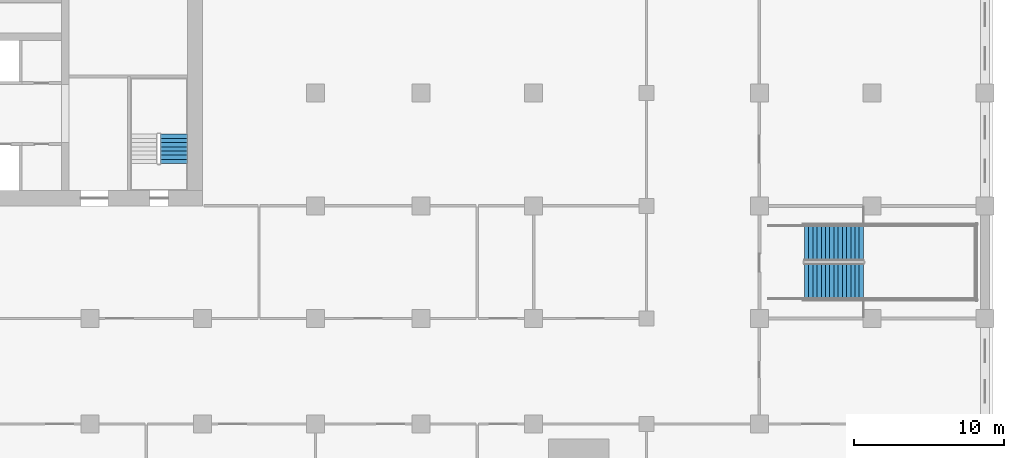
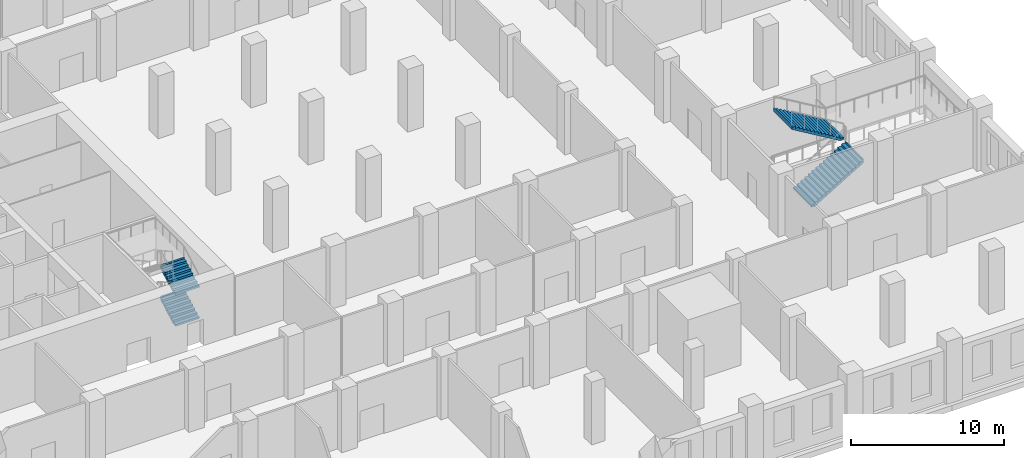
# One storey, part 16 of 32: 4 stair flights, 2 elements without a shape of their own.
"""IFC4 building model written with IfcOpenShell, lengths in metres."""

from ifc_helpers import new_model, si_unit, direction, frame, origin, place, context, subcontext, project, spatial, polyline, outline, extrude, material, type_object, element, aggregate, save


model = new_model("IFC4")

# Units and contexts
model_context = context("Model", 3, precision=1e-05, world=origin(), true_north=direction((0.0, 1.0)))
body_context = subcontext(model_context, "Body", "Model", "MODEL_VIEW")
ifc_project = project(units=[si_unit("LENGTHUNIT", "METRE"), si_unit("AREAUNIT", "SQUARE_METRE"), si_unit("VOLUMEUNIT", "CUBIC_METRE"), si_unit("PLANEANGLEUNIT", "RADIAN"), si_unit("MASSUNIT", "GRAM", prefix="KILO")], contexts=[model_context])

# Site, building, storey
site_placement = place(None, origin())
site = spatial("IfcSite", under=ifc_project, at=site_placement, CompositionType="ELEMENT")
building_placement = place(site_placement, origin())
building = spatial("IfcBuilding", under=site, at=building_placement, Name="Tamorin Gate", CompositionType="ELEMENT")
storey_placement = place(building_placement, frame((0.0, 0.0, 13.5)))
storey = spatial("IfcBuildingStorey", under=building, at=storey_placement, Name="L02", CompositionType="ELEMENT", Elevation=13.5)

# Stair, stair flights
ifc_material_1 = material(Name="Concrete C40/50", Category="concrete")
stair_type_1 = type_object("IfcStairType", Name="Exit stair", PredefinedType="HALF_TURN_STAIR", material=ifc_material_1)
stair_1_placement = place(storey_placement, origin())
stair_1 = element("IfcStair", 1, at=stair_1_placement, inside=storey, type_object=stair_type_1, Name="L02 stair ST3", PredefinedType="HALF_TURN_STAIR")
stair_flight_type_1 = type_object("IfcStairFlightType", Name="Exit stair flight", PredefinedType="STRAIGHT", material=ifc_material_1)
stair_flight_1_placement = place(storey_placement, frame((58.10009765625, 62.800048828125, 0.0), z_axis=(0.0, 0.0, 1.0), x_axis=(0.0, 1.0, 0.0)))
stair_flight_1 = element("IfcStairFlight", 2, at=stair_flight_1_placement, type_object=stair_flight_type_1, Name="ST3 flight 1", NumberOfRisers=8, NumberOfTreads=7, PredefinedType="STRAIGHT", RiserHeight=0.15625, TreadLength=0.28, context=body_context, shape_type="SweptSolid", body=[
    extrude(outline(polyline([(-0.00048828125, 0.0), (-0.00048828125, 0.00146484375), (-0.00048828125, 0.003173828125), (-0.00048828125, 0.004638671875), (-0.00048828125, 0.006103515625), (-0.00048828125, 0.0078125), (-0.00048828125, 0.00927734375), (-0.00048828125, 0.0107421875), (-0.00048828125, 0.012451171875), (-0.00048828125, 0.013916015625), (-0.00048828125, 0.015380859375), (-0.00048828125, 0.01708984375), (-0.00048828125, 0.0185546875), (-0.00048828125, 0.02001953125), (-0.00048828125, 0.021728515625), (-0.00048828125, 0.023193359375), (-0.00048828125, 0.024658203125), (-0.00048828125, 0.0263671875), (-0.00048828125, 0.02783203125), (-0.00048828125, 0.029296875), (-0.00048828125, 0.031005859375), (-0.00048828125, 0.032470703125), (-0.00048828125, 0.033935546875), (-0.00048828125, 0.03564453125), (-0.00048828125, 0.037109375), (-0.00048828125, 0.03857421875), (-0.00048828125, 0.040283203125), (-0.00048828125, 0.041748046875), (-0.00048828125, 0.043212890625), (-0.00048828125, 0.044921875), (-0.00048828125, 0.04638671875), (-0.00048828125, 0.0478515625), (-0.00048828125, 0.049560546875), (-0.00048828125, 0.051025390625), (-0.00048828125, 0.052490234375), (-0.00048828125, 0.05419921875), (-0.00048828125, 0.0556640625), (-0.00048828125, 0.05712890625), (-0.00048828125, 0.058837890625), (-0.00048828125, 0.060302734375), (-0.00048828125, 0.061767578125), (-0.00048828125, 0.0634765625), (-0.00048828125, 0.06494140625), (-0.00048828125, 0.06640625), (-0.00048828125, 0.068115234375), (-0.00048828125, 0.069580078125), (-0.00048828125, 0.071044921875), (-0.00048828125, 0.07275390625), (-0.00048828125, 0.07421875), (-0.00048828125, 0.07568359375), (-0.00048828125, 0.077392578125), (-0.00048828125, 0.078857421875), (-0.00048828125, 0.08056640625), (-0.00048828125, 0.08203125), (-0.00048828125, 0.08349609375), (-0.00048828125, 0.085205078125), (-0.00048828125, 0.086669921875), (-0.00048828125, 0.088134765625), (-0.00048828125, 0.08984375), (-0.00048828125, 0.09130859375), (-0.00048828125, 0.0927734375), (-0.00048828125, 0.094482421875), (-0.00048828125, 0.095947265625), (-0.00048828125, 0.097412109375), (-0.00048828125, 0.09912109375), (-0.00048828125, 0.1005859375), (-0.00048828125, 0.10205078125), (-0.00048828125, 0.103759765625), (-0.00048828125, 0.105224609375), (-0.00048828125, 0.106689453125), (-0.00048828125, 0.1083984375), (-0.00048828125, 0.10986328125), (-0.00048828125, 0.111328125), (-0.00048828125, 0.113037109375), (-0.00048828125, 0.114501953125), (-0.00048828125, 0.115966796875), (-0.00048828125, 0.11767578125), (-0.00048828125, 0.119140625), (-0.00048828125, 0.12060546875), (-0.00048828125, 0.122314453125), (-0.00048828125, 0.123779296875), (-0.00048828125, 0.125244140625), (-0.00048828125, 0.126953125), (-0.00048828125, 0.12841796875), (-0.00048828125, 0.1298828125), (-0.00048828125, 0.131591796875), (-0.00048828125, 0.133056640625), (-0.00048828125, 0.134521484375), (-0.00048828125, 0.13623046875), (-0.00048828125, 0.1376953125), (-0.00048828125, 0.13916015625), (-0.00048828125, 0.140869140625), (-0.00048828125, 0.142333984375), (-0.00048828125, 0.143798828125), (-0.00048828125, 0.1455078125), (-0.00048828125, 0.14697265625), (-0.00048828125, 0.1484375), (-0.00048828125, 0.150146484375), (-0.00048828125, 0.151611328125), (-0.00048828125, 0.153076171875), (-0.00048828125, 0.15478515625), (-0.00048828125, 0.15625), (0.280029296875, 0.15625), (0.280029296875, 0.3125), (0.56005859375, 0.3125), (0.56005859375, 0.46875), (0.840087890625, 0.46875), (0.840087890625, 0.625), (1.1201171875, 0.625), (1.1201171875, 0.78125), (1.39990234375, 0.78125), (1.39990234375, 0.9375), (1.679931640625, 0.9375), (1.679931640625, 1.09375), (1.9599609375, 1.09375), (1.9599609375, 1.25), (1.96044921875, 1.25), (1.96044921875, 1.246826171875), (1.96044921875, 1.243408203125), (1.96044921875, 1.240234375), (1.96044921875, 1.237060546875), (1.96044921875, 1.23388671875), (1.96044921875, 1.23046875), (1.96044921875, 1.227294921875), (1.96044921875, 1.22412109375), (1.96044921875, 1.220703125), (1.96044921875, 1.217529296875), (1.96044921875, 1.21435546875), (1.96044921875, 1.2109375), (1.96044921875, 1.207763671875), (1.96044921875, 1.20458984375), (1.96044921875, 1.201416015625), (1.96044921875, 1.197998046875), (1.96044921875, 1.19482421875), (1.96044921875, 1.191650390625), (1.96044921875, 1.188232421875), (1.96044921875, 1.18505859375), (1.96044921875, 1.181884765625), (1.96044921875, 1.178466796875), (1.96044921875, 1.17529296875), (1.96044921875, 1.172119140625), (1.96044921875, 1.1689453125), (1.96044921875, 1.16552734375), (1.96044921875, 1.162353515625), (1.96044921875, 1.1591796875), (1.96044921875, 1.15576171875), (1.96044921875, 1.152587890625), (1.96044921875, 1.1494140625), (1.96044921875, 1.14599609375), (1.96044921875, 1.142822265625), (1.96044921875, 1.1396484375), (1.96044921875, 1.136474609375), (1.96044921875, 1.133056640625), (1.96044921875, 1.1298828125), (1.96044921875, 1.126708984375), (1.96044921875, 1.123291015625), (1.96044921875, 1.1201171875), (1.96044921875, 1.116943359375), (1.96044921875, 1.113525390625), (1.96044921875, 1.1103515625), (1.96044921875, 1.107177734375), (1.96044921875, 1.10400390625), (1.96044921875, 1.1005859375), (1.96044921875, 1.097412109375), (1.96044921875, 1.09423828125), (1.96044921875, 1.0908203125), (1.96044921875, 1.087646484375), (1.96044921875, 1.08447265625), (1.96044921875, 1.0810546875), (1.96044921875, 1.077880859375), (1.96044921875, 1.07470703125), (1.96044921875, 1.071533203125), (1.96044921875, 1.068115234375), (1.96044921875, 1.06494140625), (1.96044921875, 1.061767578125), (1.96044921875, 1.058349609375), (1.96044921875, 1.05517578125), (1.96044921875, 1.052001953125), (1.96044921875, 1.048828125), (1.96044921875, 1.04541015625), (1.96044921875, 1.042236328125), (1.96044921875, 1.0390625), (1.96044921875, 1.03564453125), (1.96044921875, 1.032470703125), (1.96044921875, 1.029296875), (1.96044921875, 1.02587890625), (1.96044921875, 1.022705078125), (1.96044921875, 1.01953125), (1.96044921875, 1.016357421875), (1.96044921875, 1.012939453125), (1.96044921875, 1.009765625), (1.96044921875, 1.006591796875), (1.96044921875, 1.003173828125), (1.96044921875, 1.0), (1.96044921875, 0.996826171875), (1.96044921875, 0.993408203125), (1.96044921875, 0.990234375), (1.96044921875, 0.987060546875), (1.96044921875, 0.98388671875), (1.96044921875, 0.98046875), (1.96044921875, 0.977294921875), (1.96044921875, 0.97412109375), (1.96044921875, 0.970703125), (1.96044921875, 0.967529296875), (1.96044921875, 0.96435546875), (1.96044921875, 0.9609375), (1.96044921875, 0.957763671875), (1.96044921875, 0.95458984375), (1.96044921875, 0.951416015625), (1.96044921875, 0.947998046875), (1.96044921875, 0.94482421875), (1.96044921875, 0.941650390625), (1.96044921875, 0.938232421875), (1.96044921875, 0.93505859375), (1.96044921875, 0.931884765625), (1.96044921875, 0.928466796875), (1.96044921875, 0.92529296875), (1.96044921875, 0.922119140625), (1.9599609375, 0.922119140625), (0.3076171875, 0.0), (-0.00048828125, 0.0)])), frame((0.0, 0.89990234375, 0.0), z_axis=(0.0, -1.0, 0.0), x_axis=(1.0, 0.0, 0.0)), (0.0, 0.0, 1.0), 1.800048828125),
])
stair_flight_2_placement = place(storey_placement, frame((58.10009765625, 62.800048828125, 2.5), z_axis=(0.0, 0.0, 1.0), x_axis=(0.0, 1.0, 0.0)))
stair_flight_2 = element("IfcStairFlight", 3, at=stair_flight_2_placement, type_object=stair_flight_type_1, Name="ST3 flight 3", NumberOfRisers=8, NumberOfTreads=7, PredefinedType="STRAIGHT", RiserHeight=0.15625, TreadLength=0.28, context=body_context, shape_type="SweptSolid", body=[
    extrude(outline(polyline([(-0.00048828125, 0.0), (-0.00048828125, 0.00146484375), (-0.00048828125, 0.003173828125), (-0.00048828125, 0.004638671875), (-0.00048828125, 0.006103515625), (-0.00048828125, 0.0078125), (-0.00048828125, 0.00927734375), (-0.00048828125, 0.0107421875), (-0.00048828125, 0.012451171875), (-0.00048828125, 0.013916015625), (-0.00048828125, 0.015380859375), (-0.00048828125, 0.01708984375), (-0.00048828125, 0.0185546875), (-0.00048828125, 0.02001953125), (-0.00048828125, 0.021728515625), (-0.00048828125, 0.023193359375), (-0.00048828125, 0.024658203125), (-0.00048828125, 0.0263671875), (-0.00048828125, 0.02783203125), (-0.00048828125, 0.029296875), (-0.00048828125, 0.031005859375), (-0.00048828125, 0.032470703125), (-0.00048828125, 0.033935546875), (-0.00048828125, 0.03564453125), (-0.00048828125, 0.037109375), (-0.00048828125, 0.03857421875), (-0.00048828125, 0.040283203125), (-0.00048828125, 0.041748046875), (-0.00048828125, 0.043212890625), (-0.00048828125, 0.044921875), (-0.00048828125, 0.04638671875), (-0.00048828125, 0.0478515625), (-0.00048828125, 0.049560546875), (-0.00048828125, 0.051025390625), (-0.00048828125, 0.052490234375), (-0.00048828125, 0.05419921875), (-0.00048828125, 0.0556640625), (-0.00048828125, 0.05712890625), (-0.00048828125, 0.058837890625), (-0.00048828125, 0.060302734375), (-0.00048828125, 0.061767578125), (-0.00048828125, 0.0634765625), (-0.00048828125, 0.06494140625), (-0.00048828125, 0.06640625), (-0.00048828125, 0.068115234375), (-0.00048828125, 0.069580078125), (-0.00048828125, 0.071044921875), (-0.00048828125, 0.07275390625), (-0.00048828125, 0.07421875), (-0.00048828125, 0.07568359375), (-0.00048828125, 0.077392578125), (-0.00048828125, 0.078857421875), (-0.00048828125, 0.08056640625), (-0.00048828125, 0.08203125), (-0.00048828125, 0.08349609375), (-0.00048828125, 0.085205078125), (-0.00048828125, 0.086669921875), (-0.00048828125, 0.088134765625), (-0.00048828125, 0.08984375), (-0.00048828125, 0.09130859375), (-0.00048828125, 0.0927734375), (-0.00048828125, 0.094482421875), (-0.00048828125, 0.095947265625), (-0.00048828125, 0.097412109375), (-0.00048828125, 0.09912109375), (-0.00048828125, 0.1005859375), (-0.00048828125, 0.10205078125), (-0.00048828125, 0.103759765625), (-0.00048828125, 0.105224609375), (-0.00048828125, 0.106689453125), (-0.00048828125, 0.1083984375), (-0.00048828125, 0.10986328125), (-0.00048828125, 0.111328125), (-0.00048828125, 0.113037109375), (-0.00048828125, 0.114501953125), (-0.00048828125, 0.115966796875), (-0.00048828125, 0.11767578125), (-0.00048828125, 0.119140625), (-0.00048828125, 0.12060546875), (-0.00048828125, 0.122314453125), (-0.00048828125, 0.123779296875), (-0.00048828125, 0.125244140625), (-0.00048828125, 0.126953125), (-0.00048828125, 0.12841796875), (-0.00048828125, 0.1298828125), (-0.00048828125, 0.131591796875), (-0.00048828125, 0.133056640625), (-0.00048828125, 0.134521484375), (-0.00048828125, 0.13623046875), (-0.00048828125, 0.1376953125), (-0.00048828125, 0.13916015625), (-0.00048828125, 0.140869140625), (-0.00048828125, 0.142333984375), (-0.00048828125, 0.143798828125), (-0.00048828125, 0.1455078125), (-0.00048828125, 0.14697265625), (-0.00048828125, 0.1484375), (-0.00048828125, 0.150146484375), (-0.00048828125, 0.151611328125), (-0.00048828125, 0.153076171875), (-0.00048828125, 0.15478515625), (-0.00048828125, 0.15625), (0.280029296875, 0.15625), (0.280029296875, 0.3125), (0.56005859375, 0.3125), (0.56005859375, 0.46875), (0.840087890625, 0.46875), (0.840087890625, 0.625), (1.1201171875, 0.625), (1.1201171875, 0.78125), (1.39990234375, 0.78125), (1.39990234375, 0.9375), (1.679931640625, 0.9375), (1.679931640625, 1.09375), (1.9599609375, 1.09375), (1.9599609375, 1.25), (1.96044921875, 1.25), (1.96044921875, 1.246826171875), (1.96044921875, 1.243408203125), (1.96044921875, 1.240234375), (1.96044921875, 1.237060546875), (1.96044921875, 1.23388671875), (1.96044921875, 1.23046875), (1.96044921875, 1.227294921875), (1.96044921875, 1.22412109375), (1.96044921875, 1.220703125), (1.96044921875, 1.217529296875), (1.96044921875, 1.21435546875), (1.96044921875, 1.2109375), (1.96044921875, 1.207763671875), (1.96044921875, 1.20458984375), (1.96044921875, 1.201416015625), (1.96044921875, 1.197998046875), (1.96044921875, 1.19482421875), (1.96044921875, 1.191650390625), (1.96044921875, 1.188232421875), (1.96044921875, 1.18505859375), (1.96044921875, 1.181884765625), (1.96044921875, 1.178466796875), (1.96044921875, 1.17529296875), (1.96044921875, 1.172119140625), (1.96044921875, 1.1689453125), (1.96044921875, 1.16552734375), (1.96044921875, 1.162353515625), (1.96044921875, 1.1591796875), (1.96044921875, 1.15576171875), (1.96044921875, 1.152587890625), (1.96044921875, 1.1494140625), (1.96044921875, 1.14599609375), (1.96044921875, 1.142822265625), (1.96044921875, 1.1396484375), (1.96044921875, 1.136474609375), (1.96044921875, 1.133056640625), (1.96044921875, 1.1298828125), (1.96044921875, 1.126708984375), (1.96044921875, 1.123291015625), (1.96044921875, 1.1201171875), (1.96044921875, 1.116943359375), (1.96044921875, 1.113525390625), (1.96044921875, 1.1103515625), (1.96044921875, 1.107177734375), (1.96044921875, 1.10400390625), (1.96044921875, 1.1005859375), (1.96044921875, 1.097412109375), (1.96044921875, 1.09423828125), (1.96044921875, 1.0908203125), (1.96044921875, 1.087646484375), (1.96044921875, 1.08447265625), (1.96044921875, 1.0810546875), (1.96044921875, 1.077880859375), (1.96044921875, 1.07470703125), (1.96044921875, 1.071533203125), (1.96044921875, 1.068115234375), (1.96044921875, 1.06494140625), (1.96044921875, 1.061767578125), (1.96044921875, 1.058349609375), (1.96044921875, 1.05517578125), (1.96044921875, 1.052001953125), (1.96044921875, 1.048828125), (1.96044921875, 1.04541015625), (1.96044921875, 1.042236328125), (1.96044921875, 1.0390625), (1.96044921875, 1.03564453125), (1.96044921875, 1.032470703125), (1.96044921875, 1.029296875), (1.96044921875, 1.02587890625), (1.96044921875, 1.022705078125), (1.96044921875, 1.01953125), (1.96044921875, 1.016357421875), (1.96044921875, 1.012939453125), (1.96044921875, 1.009765625), (1.96044921875, 1.006591796875), (1.96044921875, 1.003173828125), (1.96044921875, 1.0), (1.96044921875, 0.996826171875), (1.96044921875, 0.993408203125), (1.96044921875, 0.990234375), (1.96044921875, 0.987060546875), (1.96044921875, 0.98388671875), (1.96044921875, 0.98046875), (1.96044921875, 0.977294921875), (1.96044921875, 0.97412109375), (1.96044921875, 0.970703125), (1.96044921875, 0.967529296875), (1.96044921875, 0.96435546875), (1.96044921875, 0.9609375), (1.96044921875, 0.957763671875), (1.96044921875, 0.95458984375), (1.96044921875, 0.951416015625), (1.96044921875, 0.947998046875), (1.96044921875, 0.94482421875), (1.96044921875, 0.941650390625), (1.96044921875, 0.938232421875), (1.96044921875, 0.93505859375), (1.96044921875, 0.931884765625), (1.96044921875, 0.928466796875), (1.96044921875, 0.92529296875), (1.96044921875, 0.922119140625), (1.9599609375, 0.922119140625), (0.3076171875, 0.0), (-0.00048828125, 0.0)])), frame((0.0, 0.89990234375, 0.0), z_axis=(0.0, -1.0, 0.0), x_axis=(1.0, 0.0, 0.0)), (0.0, 0.0, 1.0), 1.800048828125),
])
aggregate(stair_1, [stair_flight_1, stair_flight_2])

ifc_material_2 = material(Name="Reinforced concrete C32/40", Category="concrete")
stair_type_2 = type_object("IfcStairType", Name="Podium stair PS", PredefinedType="HALF_TURN_STAIR", material=ifc_material_2)
stair_2_placement = place(storey_placement, origin())
stair_2 = element("IfcStair", 4, at=stair_2_placement, inside=storey, type_object=stair_type_2, Name="L02 Podium stair PS3", PredefinedType="HALF_TURN_STAIR")
stair_flight_type_2 = type_object("IfcStairFlightType", Name="Stair flight 2400", PredefinedType="STRAIGHT", material=ifc_material_2)
stair_flight_3_placement = place(storey_placement, frame((100.0, 54.97509765625, 0.0), z_axis=(0.0, 0.0, 1.0), x_axis=(1.0, 0.0, 0.0)))
stair_flight_3 = element("IfcStairFlight", 5, at=stair_flight_3_placement, type_object=stair_flight_type_2, Name="PS3 flight 1", NumberOfRisers=15, NumberOfTreads=14, PredefinedType="STRAIGHT", RiserHeight=0.166666667, TreadLength=0.28, context=body_context, shape_type="SweptSolid", body=[
    extrude(outline(polyline([(-0.00048828125, 0.0), (-0.00048828125, 0.001708984375), (-0.00048828125, 0.00341796875), (-0.00048828125, 0.0048828125), (-0.00048828125, 0.006591796875), (-0.00048828125, 0.00830078125), (-0.00048828125, 0.010009765625), (-0.00048828125, 0.011474609375), (-0.00048828125, 0.01318359375), (-0.00048828125, 0.014892578125), (-0.00048828125, 0.0166015625), (-0.00048828125, 0.01806640625), (-0.00048828125, 0.019775390625), (-0.00048828125, 0.021484375), (-0.00048828125, 0.023193359375), (-0.00048828125, 0.024658203125), (-0.00048828125, 0.0263671875), (-0.00048828125, 0.028076171875), (-0.00048828125, 0.02978515625), (-0.00048828125, 0.03125), (-0.00048828125, 0.032958984375), (-0.00048828125, 0.03466796875), (-0.00048828125, 0.036376953125), (-0.00048828125, 0.037841796875), (-0.00048828125, 0.03955078125), (-0.00048828125, 0.041259765625), (-0.00048828125, 0.04296875), (-0.00048828125, 0.04443359375), (-0.00048828125, 0.046142578125), (-0.00048828125, 0.0478515625), (-0.00048828125, 0.049560546875), (-0.00048828125, 0.05126953125), (-0.00048828125, 0.052734375), (-0.00048828125, 0.054443359375), (-0.00048828125, 0.05615234375), (-0.00048828125, 0.057861328125), (-0.00048828125, 0.059326171875), (-0.00048828125, 0.06103515625), (-0.00048828125, 0.062744140625), (-0.00048828125, 0.064453125), (-0.00048828125, 0.06591796875), (-0.00048828125, 0.067626953125), (-0.00048828125, 0.0693359375), (-0.00048828125, 0.071044921875), (-0.00048828125, 0.072509765625), (-0.00048828125, 0.07421875), (-0.00048828125, 0.075927734375), (-0.00048828125, 0.07763671875), (-0.00048828125, 0.0791015625), (-0.00048828125, 0.080810546875), (-0.00048828125, 0.08251953125), (-0.00048828125, 0.084228515625), (-0.00048828125, 0.085693359375), (-0.00048828125, 0.08740234375), (-0.00048828125, 0.089111328125), (-0.00048828125, 0.0908203125), (-0.00048828125, 0.092529296875), (-0.00048828125, 0.093994140625), (-0.00048828125, 0.095703125), (-0.00048828125, 0.097412109375), (-0.00048828125, 0.09912109375), (-0.00048828125, 0.1005859375), (-0.00048828125, 0.102294921875), (-0.00048828125, 0.10400390625), (-0.00048828125, 0.105712890625), (-0.00048828125, 0.107177734375), (-0.00048828125, 0.10888671875), (-0.00048828125, 0.110595703125), (-0.00048828125, 0.1123046875), (-0.00048828125, 0.11376953125), (-0.00048828125, 0.115478515625), (-0.00048828125, 0.1171875), (-0.00048828125, 0.118896484375), (-0.00048828125, 0.120361328125), (-0.00048828125, 0.1220703125), (-0.00048828125, 0.123779296875), (-0.00048828125, 0.12548828125), (-0.00048828125, 0.126953125), (-0.00048828125, 0.128662109375), (-0.00048828125, 0.13037109375), (-0.00048828125, 0.132080078125), (-0.00048828125, 0.133544921875), (-0.00048828125, 0.13525390625), (-0.00048828125, 0.136962890625), (-0.00048828125, 0.138671875), (-0.00048828125, 0.140380859375), (-0.00048828125, 0.141845703125), (-0.00048828125, 0.1435546875), (-0.00048828125, 0.145263671875), (-0.00048828125, 0.14697265625), (-0.00048828125, 0.1484375), (-0.00048828125, 0.150146484375), (-0.00048828125, 0.15185546875), (-0.00048828125, 0.153564453125), (-0.00048828125, 0.155029296875), (-0.00048828125, 0.15673828125), (-0.00048828125, 0.158447265625), (-0.00048828125, 0.16015625), (-0.00048828125, 0.16162109375), (-0.00048828125, 0.163330078125), (-0.00048828125, 0.1650390625), (-0.00048828125, 0.166748046875), (0.280029296875, 0.166748046875), (0.280029296875, 0.333251953125), (0.56005859375, 0.333251953125), (0.56005859375, 0.5), (0.840087890625, 0.5), (0.840087890625, 0.666748046875), (1.1201171875, 0.666748046875), (1.1201171875, 0.833251953125), (1.39990234375, 0.833251953125), (1.39990234375, 1.0), (1.679931640625, 1.0), (1.679931640625, 1.166748046875), (1.9599609375, 1.166748046875), (1.9599609375, 1.333251953125), (2.239990234375, 1.333251953125), (2.239990234375, 1.5), (2.52001953125, 1.5), (2.52001953125, 1.666748046875), (2.800048828125, 1.666748046875), (2.800048828125, 1.833251953125), (3.080078125, 1.833251953125), (3.080078125, 2.0), (3.360107421875, 2.0), (3.360107421875, 2.166748046875), (3.639892578125, 2.166748046875), (3.639892578125, 2.333251953125), (3.919921875, 2.333251953125), (3.919921875, 2.5), (3.92041015625, 2.5), (3.92041015625, 2.49658203125), (3.92041015625, 2.4931640625), (3.92041015625, 2.48974609375), (3.92041015625, 2.486572265625), (3.92041015625, 2.483154296875), (3.92041015625, 2.479736328125), (3.92041015625, 2.476318359375), (3.92041015625, 2.472900390625), (3.92041015625, 2.469482421875), (3.92041015625, 2.46630859375), (3.92041015625, 2.462890625), (3.92041015625, 2.45947265625), (3.92041015625, 2.4560546875), (3.92041015625, 2.45263671875), (3.92041015625, 2.44921875), (3.92041015625, 2.446044921875), (3.92041015625, 2.442626953125), (3.92041015625, 2.439208984375), (3.92041015625, 2.435791015625), (3.92041015625, 2.432373046875), (3.92041015625, 2.428955078125), (3.92041015625, 2.42578125), (3.92041015625, 2.42236328125), (3.92041015625, 2.4189453125), (3.92041015625, 2.41552734375), (3.92041015625, 2.412109375), (3.92041015625, 2.40869140625), (3.92041015625, 2.405517578125), (3.92041015625, 2.402099609375), (3.92041015625, 2.398681640625), (3.92041015625, 2.395263671875), (3.92041015625, 2.391845703125), (3.92041015625, 2.388427734375), (3.92041015625, 2.38525390625), (3.92041015625, 2.3818359375), (3.92041015625, 2.37841796875), (3.92041015625, 2.375), (3.92041015625, 2.37158203125), (3.92041015625, 2.3681640625), (3.92041015625, 2.364990234375), (3.92041015625, 2.361572265625), (3.92041015625, 2.358154296875), (3.92041015625, 2.354736328125), (3.92041015625, 2.351318359375), (3.92041015625, 2.347900390625), (3.92041015625, 2.3447265625), (3.92041015625, 2.34130859375), (3.92041015625, 2.337890625), (3.92041015625, 2.33447265625), (3.92041015625, 2.3310546875), (3.92041015625, 2.32763671875), (3.92041015625, 2.324462890625), (3.92041015625, 2.321044921875), (3.92041015625, 2.317626953125), (3.92041015625, 2.314208984375), (3.92041015625, 2.310791015625), (3.92041015625, 2.307373046875), (3.92041015625, 2.30419921875), (3.92041015625, 2.30078125), (3.92041015625, 2.29736328125), (3.92041015625, 2.2939453125), (3.92041015625, 2.29052734375), (3.92041015625, 2.287109375), (3.92041015625, 2.283935546875), (3.92041015625, 2.280517578125), (3.92041015625, 2.277099609375), (3.92041015625, 2.273681640625), (3.92041015625, 2.270263671875), (3.92041015625, 2.266845703125), (3.92041015625, 2.263671875), (3.92041015625, 2.26025390625), (3.92041015625, 2.2568359375), (3.92041015625, 2.25341796875), (3.92041015625, 2.25), (3.92041015625, 2.24658203125), (3.92041015625, 2.243408203125), (3.92041015625, 2.239990234375), (3.92041015625, 2.236572265625), (3.92041015625, 2.233154296875), (3.92041015625, 2.229736328125), (3.92041015625, 2.226318359375), (3.92041015625, 2.22314453125), (3.92041015625, 2.2197265625), (3.92041015625, 2.21630859375), (3.92041015625, 2.212890625), (3.92041015625, 2.20947265625), (3.92041015625, 2.2060546875), (3.92041015625, 2.202880859375), (3.92041015625, 2.199462890625), (3.92041015625, 2.196044921875), (3.92041015625, 2.192626953125), (3.92041015625, 2.189208984375), (3.92041015625, 2.185791015625), (3.92041015625, 2.1826171875), (3.92041015625, 2.17919921875), (3.92041015625, 2.17578125), (3.92041015625, 2.17236328125), (3.92041015625, 2.1689453125), (3.92041015625, 2.16552734375), (3.92041015625, 2.162353515625), (3.92041015625, 2.158935546875), (3.919921875, 2.158935546875), (0.29296875, 0.0), (-0.00048828125, 0.0)])), frame((0.0, 1.199951171875, 0.0), z_axis=(0.0, -1.0, 0.0), x_axis=(1.0, 0.0, 0.0)), (0.0, 0.0, 1.0), 2.39990234375),
])
stair_flight_4_placement = place(storey_placement, frame((103.919921875, 57.52490234375, 2.5), z_axis=(0.0, 0.0, 1.0), x_axis=(-1.0, 0.0, 0.0)))
stair_flight_4 = element("IfcStairFlight", 6, at=stair_flight_4_placement, type_object=stair_flight_type_2, Name="PS3 flight 2", NumberOfRisers=15, NumberOfTreads=14, PredefinedType="STRAIGHT", RiserHeight=0.166666667, TreadLength=0.28, context=body_context, shape_type="SweptSolid", body=[
    extrude(outline(polyline([(-0.00048828125, 0.0), (-0.00048828125, 0.001708984375), (-0.00048828125, 0.00341796875), (-0.00048828125, 0.0048828125), (-0.00048828125, 0.006591796875), (-0.00048828125, 0.00830078125), (-0.00048828125, 0.010009765625), (-0.00048828125, 0.011474609375), (-0.00048828125, 0.01318359375), (-0.00048828125, 0.014892578125), (-0.00048828125, 0.0166015625), (-0.00048828125, 0.01806640625), (-0.00048828125, 0.019775390625), (-0.00048828125, 0.021484375), (-0.00048828125, 0.023193359375), (-0.00048828125, 0.024658203125), (-0.00048828125, 0.0263671875), (-0.00048828125, 0.028076171875), (-0.00048828125, 0.02978515625), (-0.00048828125, 0.03125), (-0.00048828125, 0.032958984375), (-0.00048828125, 0.03466796875), (-0.00048828125, 0.036376953125), (-0.00048828125, 0.037841796875), (-0.00048828125, 0.03955078125), (-0.00048828125, 0.041259765625), (-0.00048828125, 0.04296875), (-0.00048828125, 0.04443359375), (-0.00048828125, 0.046142578125), (-0.00048828125, 0.0478515625), (-0.00048828125, 0.049560546875), (-0.00048828125, 0.05126953125), (-0.00048828125, 0.052734375), (-0.00048828125, 0.054443359375), (-0.00048828125, 0.05615234375), (-0.00048828125, 0.057861328125), (-0.00048828125, 0.059326171875), (-0.00048828125, 0.06103515625), (-0.00048828125, 0.062744140625), (-0.00048828125, 0.064453125), (-0.00048828125, 0.06591796875), (-0.00048828125, 0.067626953125), (-0.00048828125, 0.0693359375), (-0.00048828125, 0.071044921875), (-0.00048828125, 0.072509765625), (-0.00048828125, 0.07421875), (-0.00048828125, 0.075927734375), (-0.00048828125, 0.07763671875), (-0.00048828125, 0.0791015625), (-0.00048828125, 0.080810546875), (-0.00048828125, 0.08251953125), (-0.00048828125, 0.084228515625), (-0.00048828125, 0.085693359375), (-0.00048828125, 0.08740234375), (-0.00048828125, 0.089111328125), (-0.00048828125, 0.0908203125), (-0.00048828125, 0.092529296875), (-0.00048828125, 0.093994140625), (-0.00048828125, 0.095703125), (-0.00048828125, 0.097412109375), (-0.00048828125, 0.09912109375), (-0.00048828125, 0.1005859375), (-0.00048828125, 0.102294921875), (-0.00048828125, 0.10400390625), (-0.00048828125, 0.105712890625), (-0.00048828125, 0.107177734375), (-0.00048828125, 0.10888671875), (-0.00048828125, 0.110595703125), (-0.00048828125, 0.1123046875), (-0.00048828125, 0.11376953125), (-0.00048828125, 0.115478515625), (-0.00048828125, 0.1171875), (-0.00048828125, 0.118896484375), (-0.00048828125, 0.120361328125), (-0.00048828125, 0.1220703125), (-0.00048828125, 0.123779296875), (-0.00048828125, 0.12548828125), (-0.00048828125, 0.126953125), (-0.00048828125, 0.128662109375), (-0.00048828125, 0.13037109375), (-0.00048828125, 0.132080078125), (-0.00048828125, 0.133544921875), (-0.00048828125, 0.13525390625), (-0.00048828125, 0.136962890625), (-0.00048828125, 0.138671875), (-0.00048828125, 0.140380859375), (-0.00048828125, 0.141845703125), (-0.00048828125, 0.1435546875), (-0.00048828125, 0.145263671875), (-0.00048828125, 0.14697265625), (-0.00048828125, 0.1484375), (-0.00048828125, 0.150146484375), (-0.00048828125, 0.15185546875), (-0.00048828125, 0.153564453125), (-0.00048828125, 0.155029296875), (-0.00048828125, 0.15673828125), (-0.00048828125, 0.158447265625), (-0.00048828125, 0.16015625), (-0.00048828125, 0.16162109375), (-0.00048828125, 0.163330078125), (-0.00048828125, 0.1650390625), (-0.00048828125, 0.166748046875), (0.280029296875, 0.166748046875), (0.280029296875, 0.333251953125), (0.56005859375, 0.333251953125), (0.56005859375, 0.5), (0.840087890625, 0.5), (0.840087890625, 0.666748046875), (1.1201171875, 0.666748046875), (1.1201171875, 0.833251953125), (1.39990234375, 0.833251953125), (1.39990234375, 1.0), (1.679931640625, 1.0), (1.679931640625, 1.166748046875), (1.9599609375, 1.166748046875), (1.9599609375, 1.333251953125), (2.239990234375, 1.333251953125), (2.239990234375, 1.5), (2.52001953125, 1.5), (2.52001953125, 1.666748046875), (2.800048828125, 1.666748046875), (2.800048828125, 1.833251953125), (3.080078125, 1.833251953125), (3.080078125, 2.0), (3.360107421875, 2.0), (3.360107421875, 2.166748046875), (3.639892578125, 2.166748046875), (3.639892578125, 2.333251953125), (3.919921875, 2.333251953125), (3.919921875, 2.5), (3.92041015625, 2.5), (3.92041015625, 2.49658203125), (3.92041015625, 2.4931640625), (3.92041015625, 2.48974609375), (3.92041015625, 2.486572265625), (3.92041015625, 2.483154296875), (3.92041015625, 2.479736328125), (3.92041015625, 2.476318359375), (3.92041015625, 2.472900390625), (3.92041015625, 2.469482421875), (3.92041015625, 2.46630859375), (3.92041015625, 2.462890625), (3.92041015625, 2.45947265625), (3.92041015625, 2.4560546875), (3.92041015625, 2.45263671875), (3.92041015625, 2.44921875), (3.92041015625, 2.446044921875), (3.92041015625, 2.442626953125), (3.92041015625, 2.439208984375), (3.92041015625, 2.435791015625), (3.92041015625, 2.432373046875), (3.92041015625, 2.428955078125), (3.92041015625, 2.42578125), (3.92041015625, 2.42236328125), (3.92041015625, 2.4189453125), (3.92041015625, 2.41552734375), (3.92041015625, 2.412109375), (3.92041015625, 2.40869140625), (3.92041015625, 2.405517578125), (3.92041015625, 2.402099609375), (3.92041015625, 2.398681640625), (3.92041015625, 2.395263671875), (3.92041015625, 2.391845703125), (3.92041015625, 2.388427734375), (3.92041015625, 2.38525390625), (3.92041015625, 2.3818359375), (3.92041015625, 2.37841796875), (3.92041015625, 2.375), (3.92041015625, 2.37158203125), (3.92041015625, 2.3681640625), (3.92041015625, 2.364990234375), (3.92041015625, 2.361572265625), (3.92041015625, 2.358154296875), (3.92041015625, 2.354736328125), (3.92041015625, 2.351318359375), (3.92041015625, 2.347900390625), (3.92041015625, 2.3447265625), (3.92041015625, 2.34130859375), (3.92041015625, 2.337890625), (3.92041015625, 2.33447265625), (3.92041015625, 2.3310546875), (3.92041015625, 2.32763671875), (3.92041015625, 2.324462890625), (3.92041015625, 2.321044921875), (3.92041015625, 2.317626953125), (3.92041015625, 2.314208984375), (3.92041015625, 2.310791015625), (3.92041015625, 2.307373046875), (3.92041015625, 2.30419921875), (3.92041015625, 2.30078125), (3.92041015625, 2.29736328125), (3.92041015625, 2.2939453125), (3.92041015625, 2.29052734375), (3.92041015625, 2.287109375), (3.92041015625, 2.283935546875), (3.92041015625, 2.280517578125), (3.92041015625, 2.277099609375), (3.92041015625, 2.273681640625), (3.92041015625, 2.270263671875), (3.92041015625, 2.266845703125), (3.92041015625, 2.263671875), (3.92041015625, 2.26025390625), (3.92041015625, 2.2568359375), (3.92041015625, 2.25341796875), (3.92041015625, 2.25), (3.92041015625, 2.24658203125), (3.92041015625, 2.243408203125), (3.92041015625, 2.239990234375), (3.92041015625, 2.236572265625), (3.92041015625, 2.233154296875), (3.92041015625, 2.229736328125), (3.92041015625, 2.226318359375), (3.92041015625, 2.22314453125), (3.92041015625, 2.2197265625), (3.92041015625, 2.21630859375), (3.92041015625, 2.212890625), (3.92041015625, 2.20947265625), (3.92041015625, 2.2060546875), (3.92041015625, 2.202880859375), (3.92041015625, 2.199462890625), (3.92041015625, 2.196044921875), (3.92041015625, 2.192626953125), (3.92041015625, 2.189208984375), (3.92041015625, 2.185791015625), (3.92041015625, 2.1826171875), (3.92041015625, 2.17919921875), (3.92041015625, 2.17578125), (3.92041015625, 2.17236328125), (3.92041015625, 2.1689453125), (3.92041015625, 2.16552734375), (3.92041015625, 2.162353515625), (3.92041015625, 2.158935546875), (3.919921875, 2.158935546875), (0.29296875, 0.0), (-0.00048828125, 0.0)])), frame((0.0, 1.199951171875, 0.0), z_axis=(0.0, -1.0, 0.0), x_axis=(1.0, 0.0, 0.0)), (0.0, 0.0, 1.0), 2.39990234375),
])
aggregate(stair_2, [stair_flight_3, stair_flight_4])

save(model, "model.ifc")
